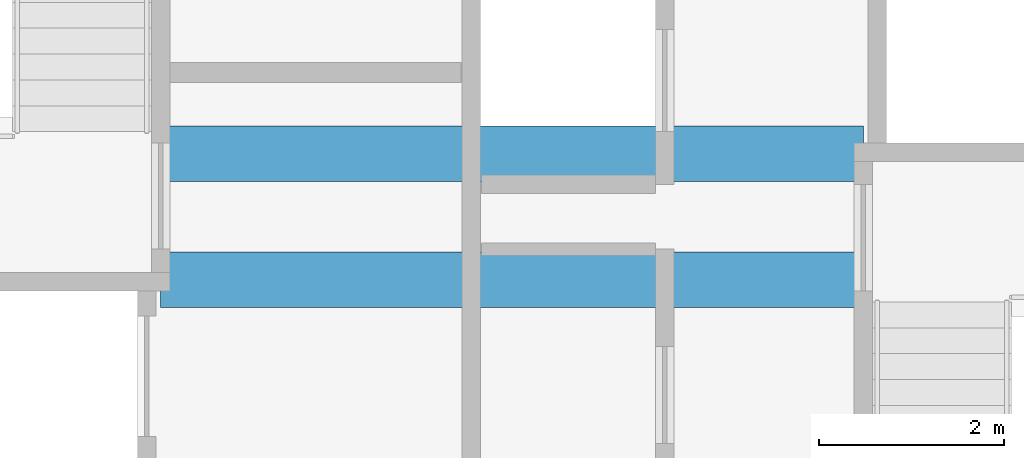
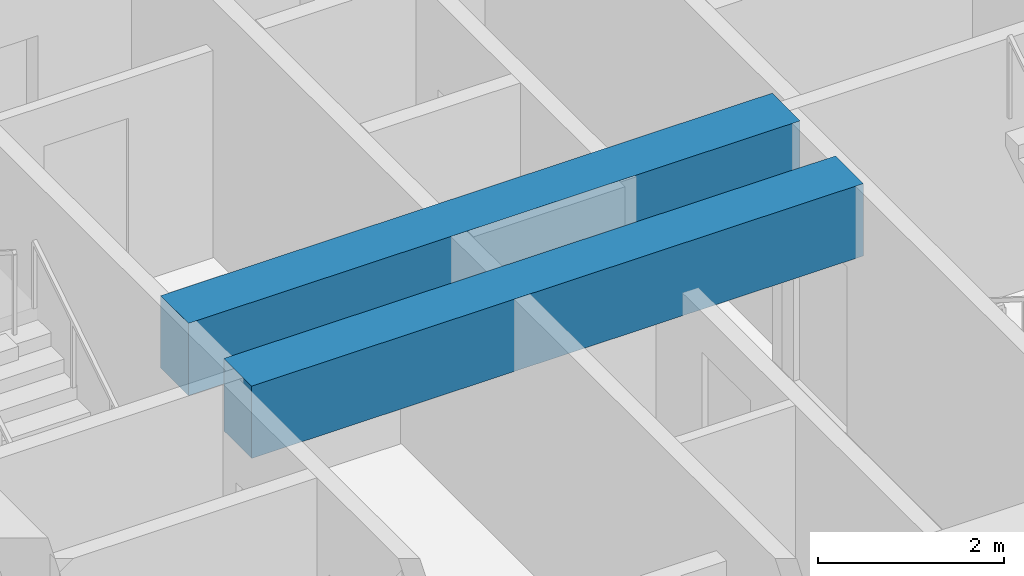
# One storey, part 8 of 42: 2 beams.
"""IFC4 building model written with IfcOpenShell, lengths in metres."""

from ifc_helpers import new_model, si_unit, direction, frame, origin, origin_2d, place, context, subcontext, project, spatial, rectangle, extrude, material, material_profile, profile_set, type_object, element, save


model = new_model("IFC4")

# Units and contexts
model_context = context("Model", 3, precision=1e-05, world=origin(), true_north=direction((0.0, 1.0)))
body_context = subcontext(model_context, "Body", "Model", "MODEL_VIEW")
ifc_project = project(units=[si_unit("LENGTHUNIT", "METRE"), si_unit("AREAUNIT", "SQUARE_METRE"), si_unit("VOLUMEUNIT", "CUBIC_METRE"), si_unit("PLANEANGLEUNIT", "RADIAN"), si_unit("MASSUNIT", "GRAM", prefix="KILO")], contexts=[model_context])

# Site, building, storey
site_placement = place(None, origin())
site = spatial("IfcSite", under=ifc_project, at=site_placement, CompositionType="ELEMENT")
building_placement = place(site_placement, origin())
building = spatial("IfcBuilding", under=site, at=building_placement, Name="Tashvorn Skyway Center", CompositionType="ELEMENT")
storey_placement = place(building_placement, frame((0.0, 0.0, 121.5)))
storey = spatial("IfcBuildingStorey", under=building, at=storey_placement, Name="L32", CompositionType="ELEMENT", Elevation=121.5)

# Beams
ifc_material = material(Name="Concrete C60/75", Category="concrete")
ifc_material_profile = material_profile(ifc_material, rectangle(XDim=0.60009765625, YDim=0.949951171875, at=origin_2d()), Name="RCB600x950")
ifc_profile_set = profile_set([ifc_material_profile], Name="Concrete C60/75")
beam_type = type_object("IfcBeamType", Name="BM-LINTEL-RCB600x950", PredefinedType="LINTEL", material=ifc_profile_set)
for number, where, z_axis, x_axis, name in (
    (1, (38.199951171875, 32.679931640625, 2.89501953125), (1.0, 0.0, 0.0), (0.0, 1.0, 0.0), "Tower 1 L32 Core Coupling Beam CN"),
    (2, (38.199951171875, 31.320068359375, 2.89501953125), (1.0, 0.0, 0.0), (0.0, 1.0, 0.0), "Tower 1 L32 Core Coupling Beam CS"),
):
    element("IfcBeam", number, at=place(storey_placement, frame(where, z_axis=z_axis, x_axis=x_axis)), inside=storey, type_object=beam_type, Name=name, PredefinedType="LINTEL", context=body_context, shape_type="SweptSolid", body=[
        extrude(rectangle(XDim=0.60009765625, YDim=0.949951171875, at=origin_2d()), origin(), (0.0, 0.0, 1.0), 7.60009765625),
    ])

save(model, "model.ifc")
